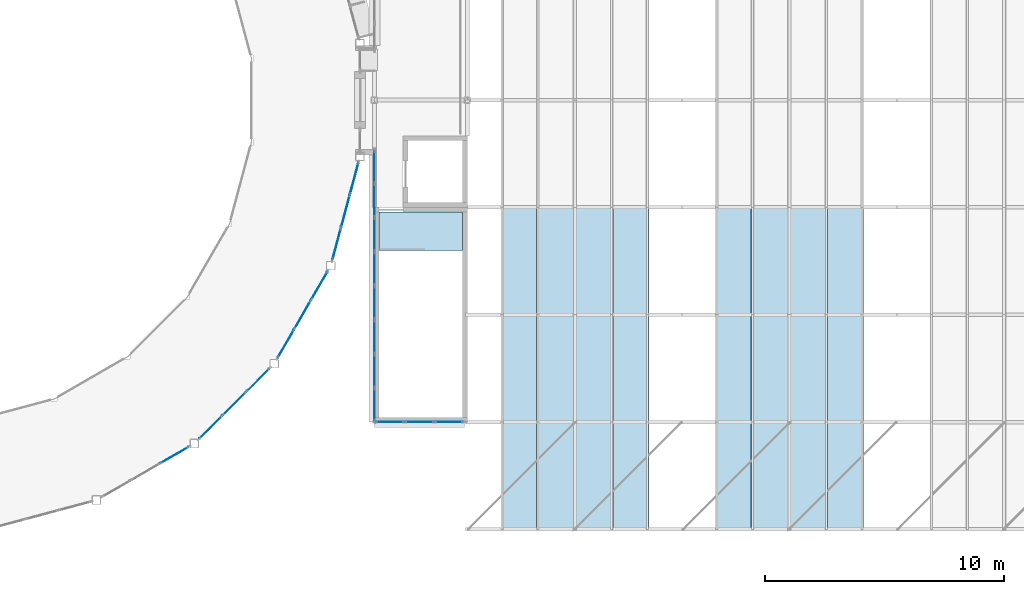
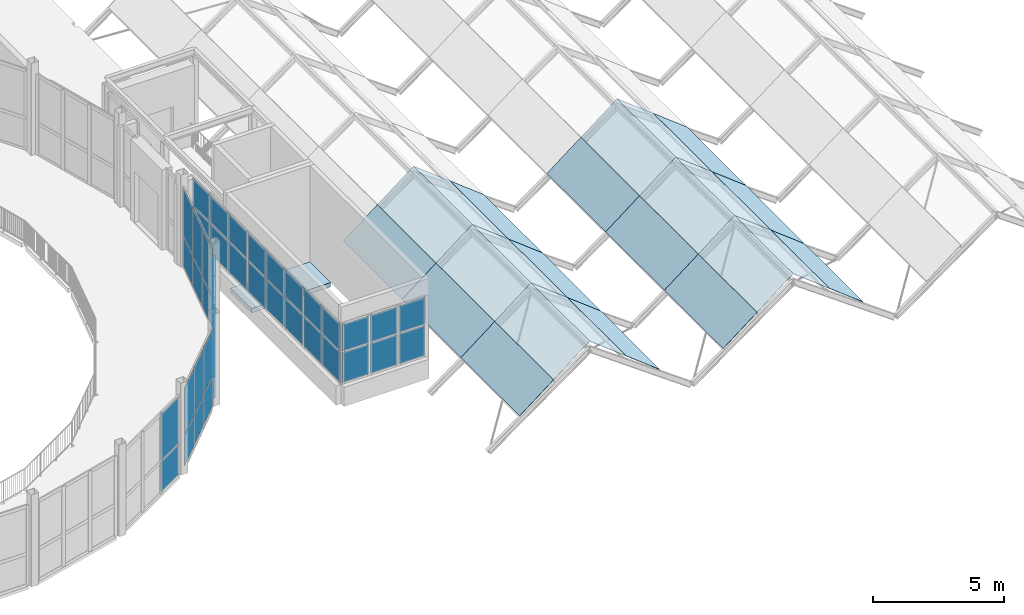
# One storey, part 35 of 74: 66 plates, 1 slab, 6 elements without a shape of their own.
"""IFC4 building model written with IfcOpenShell, lengths in metres."""

from ifc_helpers import new_model, si_unit, direction, frame, origin, origin_2d, place, context, subcontext, project, spatial, polyline, rectangle, outline, extrude, material, layer, layer_set, type_object, element, aggregate, save


model = new_model("IFC4")

# Units and contexts
model_context = context("Model", 3, precision=1e-05, world=origin(), true_north=direction((0.0, 1.0)))
body_context = subcontext(model_context, "Body", "Model", "MODEL_VIEW")
ifc_project = project(units=[si_unit("LENGTHUNIT", "METRE"), si_unit("AREAUNIT", "SQUARE_METRE"), si_unit("VOLUMEUNIT", "CUBIC_METRE"), si_unit("PLANEANGLEUNIT", "RADIAN"), si_unit("MASSUNIT", "GRAM", prefix="KILO")], contexts=[model_context])

# Site, building, storey
site_placement = place(None, origin())
site = spatial("IfcSite", under=ifc_project, at=site_placement, CompositionType="ELEMENT")
building_placement = place(site_placement, origin())
building = spatial("IfcBuilding", under=site, at=building_placement, Name="Hortulan Conservatory and Botanical Research Centre", CompositionType="ELEMENT")
storey_placement = place(building_placement, frame((0.0, 0.0, 6.0)))
storey = spatial("IfcBuildingStorey", under=building, at=storey_placement, Name="L01", CompositionType="ELEMENT", Elevation=6.0)

# Plates
ifc_material_1 = material(Name="Verdigris copper-green zinc sheet on timber decking", Category="wood")
ifc_layer_1 = layer(ifc_material_1, 0.011962890625)
ifc_layer_set_1 = layer_set([ifc_layer_1], Name="Climate House End Bay Zinc Roof Panel 12")
plate_type_1 = type_object("IfcPlateType", Name="Climate House End Bay Zinc Roof Panel 12", PredefinedType="SHEET", material=ifc_layer_set_1)
plate_1_placement = place(storey_placement, frame((77.89794921875, 0.0, 0.2978515625), z_axis=(-0.613967295793, 0.0, 0.789331463769), x_axis=(0.789331463769, 0.0, 0.613967295793)))
element("IfcPlate", 1, at=plate_1_placement, inside=storey, type_object=plate_type_1, Name="Climate house end bay roof panel", PredefinedType="SHEET", context=body_context, shape_type="SweptSolid", body=[
    extrude(outline(polyline([(0.0, 0.0), (1.9003423388659808, 0.0), (1.9003423388659808, 4.5), (0.0, 4.5), (0.0, 0.0)])), origin(), (0.0, 0.0, -1.0), 0.011962890625),
])
plate_2_placement = place(storey_placement, frame((79.39794921875, 0.0, 1.464599609375), z_axis=(-0.613957268838, 0.0, 0.789339262954), x_axis=(0.789339262954, 0.0, 0.613957268838)))
element("IfcPlate", 2, at=plate_2_placement, inside=storey, type_object=plate_type_1, Name="Climate house end bay roof panel", PredefinedType="SHEET", context=body_context, shape_type="SweptSolid", body=[
    extrude(outline(polyline([(0.0, 0.0), (2.0296098983530797, 0.0), (2.0296098983530797, 4.5), (0.0, 4.5), (0.0, 0.0)])), origin(), (0.0, 0.0, -1.0), 0.011962890625),
])
plate_3_placement = place(storey_placement, frame((84.10205078125, 4.5, 0.2978515625), z_axis=(0.613967295793, 0.0, 0.789331463769), x_axis=(-0.789331463769, 0.0, 0.613967295793)))
element("IfcPlate", 3, at=plate_3_placement, inside=storey, type_object=plate_type_1, Name="Climate house end bay roof panel", PredefinedType="SHEET", context=body_context, shape_type="SweptSolid", body=[
    extrude(outline(polyline([(0.0, 0.0), (1.9003423388659808, 0.0), (1.9003423388659808, 4.5), (0.0, 4.5), (0.0, 0.0)])), origin(), (0.0, 0.0, -1.0), 0.011962890625),
])
plate_4_placement = place(storey_placement, frame((82.60205078125, 4.5, 1.464599609375), z_axis=(0.613957268838, 0.0, 0.789339262954), x_axis=(-0.789339262954, 0.0, 0.613957268838)))
element("IfcPlate", 4, at=plate_4_placement, inside=storey, type_object=plate_type_1, Name="Climate house end bay roof panel", PredefinedType="SHEET", context=body_context, shape_type="SweptSolid", body=[
    extrude(outline(polyline([(0.0, 0.0), (2.0296098983530797, 0.0), (2.0296098983530797, 4.5), (0.0, 4.5), (0.0, 0.0)])), origin(), (0.0, 0.0, -1.0), 0.011962890625),
])
plate_5_placement = place(storey_placement, frame((86.89794921875, 0.0, 0.2978515625), z_axis=(-0.613967295793, 0.0, 0.789331463769), x_axis=(0.789331463769, 0.0, 0.613967295793)))
element("IfcPlate", 5, at=plate_5_placement, inside=storey, type_object=plate_type_1, Name="Climate house end bay roof panel", PredefinedType="SHEET", context=body_context, shape_type="SweptSolid", body=[
    extrude(outline(polyline([(0.0, 0.0), (1.9003423388659808, 0.0), (1.9003423388659808, 4.5), (0.0, 4.5), (0.0, 0.0)])), origin(), (0.0, 0.0, -1.0), 0.011962890625),
])
plate_6_placement = place(storey_placement, frame((88.39794921875, 0.0, 1.464599609375), z_axis=(-0.613957268838, 0.0, 0.789339262954), x_axis=(0.789339262954, 0.0, 0.613957268838)))
element("IfcPlate", 6, at=plate_6_placement, inside=storey, type_object=plate_type_1, Name="Climate house end bay roof panel", PredefinedType="SHEET", context=body_context, shape_type="SweptSolid", body=[
    extrude(outline(polyline([(0.0, 0.0), (2.0296098983530797, 0.0), (2.0296098983530797, 4.5), (0.0, 4.5), (0.0, 0.0)])), origin(), (0.0, 0.0, -1.0), 0.011962890625),
])
plate_7_placement = place(storey_placement, frame((93.10205078125, 4.5, 0.2978515625), z_axis=(0.613967295793, 0.0, 0.789331463769), x_axis=(-0.789331463769, 0.0, 0.613967295793)))
element("IfcPlate", 7, at=plate_7_placement, inside=storey, type_object=plate_type_1, Name="Climate house end bay roof panel", PredefinedType="SHEET", context=body_context, shape_type="SweptSolid", body=[
    extrude(outline(polyline([(0.0, 0.0), (1.9003423388659808, 0.0), (1.9003423388659808, 4.5), (0.0, 4.5), (0.0, 0.0)])), origin(), (0.0, 0.0, -1.0), 0.011962890625),
])
plate_8_placement = place(storey_placement, frame((91.60205078125, 4.5, 1.464599609375), z_axis=(0.613957268838, 0.0, 0.789339262954), x_axis=(-0.789339262954, 0.0, 0.613957268838)))
element("IfcPlate", 8, at=plate_8_placement, inside=storey, type_object=plate_type_1, Name="Climate house end bay roof panel", PredefinedType="SHEET", context=body_context, shape_type="SweptSolid", body=[
    extrude(outline(polyline([(0.0, 0.0), (2.0296098983530797, 0.0), (2.0296098983530797, 4.5), (0.0, 4.5), (0.0, 0.0)])), origin(), (0.0, 0.0, -1.0), 0.011962890625),
])
ifc_material_2 = material(Name="Low-e laminated glass", Category="glass")
ifc_layer_2 = layer(ifc_material_2, 0.011962890625)
ifc_layer_set_2 = layer_set([ifc_layer_2], Name="Glasshouse Roof Glazing Panel 12")
plate_type_2 = type_object("IfcPlateType", Name="Glasshouse Roof Glazing Panel 12", PredefinedType="SHEET", material=ifc_layer_set_2)
for number, where, z_axis, x_axis, name in (
    (9, (77.89794921875, 4.5, 0.2978515625), (-0.613967295793, 0.0, 0.789331463769), (0.789331463769, 0.0, 0.613967295793), "Glasshouse roof panel"),
    (10, (77.89794921875, 9.0, 0.2978515625), (-0.613967295793, 0.0, 0.789331463769), (0.789331463769, 0.0, 0.613967295793), "Glasshouse roof panel"),
):
    element("IfcPlate", number, at=place(storey_placement, frame(where, z_axis=z_axis, x_axis=x_axis)), inside=storey, type_object=plate_type_2, Name=name, PredefinedType="SHEET", context=body_context, shape_type="SweptSolid", body=[
        extrude(outline(polyline([(0.0, 0.0), (1.9003423388659808, 0.0), (1.9003423388659808, 4.5), (0.0, 4.5), (0.0, 0.0)])), origin(), (0.0, 0.0, -1.0), 0.011962890625),
    ])
for number, where, z_axis, x_axis, name in (
    (11, (79.39794921875, 4.5, 1.464599609375), (-0.613957268838, 0.0, 0.789339262954), (0.789339262954, 0.0, 0.613957268838), "Glasshouse roof panel"),
    (12, (79.39794921875, 9.0, 1.464599609375), (-0.613957268838, 0.0, 0.789339262954), (0.789339262954, 0.0, 0.613957268838), "Glasshouse roof panel"),
):
    element("IfcPlate", number, at=place(storey_placement, frame(where, z_axis=z_axis, x_axis=x_axis)), inside=storey, type_object=plate_type_2, Name=name, PredefinedType="SHEET", context=body_context, shape_type="SweptSolid", body=[
        extrude(outline(polyline([(0.0, 0.0), (2.0296098983530797, 0.0), (2.0296098983530797, 4.5), (0.0, 4.5), (0.0, 0.0)])), origin(), (0.0, 0.0, -1.0), 0.011962890625),
    ])
for number, where, z_axis, x_axis, name in (
    (13, (84.10205078125, 9.0, 0.2978515625), (0.613967295793, 0.0, 0.789331463769), (-0.789331463769, 0.0, 0.613967295793), "Glasshouse roof panel"),
    (14, (84.10205078125, 13.5, 0.2978515625), (0.613967295793, 0.0, 0.789331463769), (-0.789331463769, 0.0, 0.613967295793), "Glasshouse roof panel"),
):
    element("IfcPlate", number, at=place(storey_placement, frame(where, z_axis=z_axis, x_axis=x_axis)), inside=storey, type_object=plate_type_2, Name=name, PredefinedType="SHEET", context=body_context, shape_type="SweptSolid", body=[
        extrude(outline(polyline([(0.0, 0.0), (1.9003423388659808, 0.0), (1.9003423388659808, 4.5), (0.0, 4.5), (0.0, 0.0)])), origin(), (0.0, 0.0, -1.0), 0.011962890625),
    ])
for number, where, z_axis, x_axis, name in (
    (15, (82.60205078125, 9.0, 1.464599609375), (0.613957268838, 0.0, 0.789339262954), (-0.789339262954, 0.0, 0.613957268838), "Glasshouse roof panel"),
    (16, (82.60205078125, 13.5, 1.464599609375), (0.613957268838, 0.0, 0.789339262954), (-0.789339262954, 0.0, 0.613957268838), "Glasshouse roof panel"),
):
    element("IfcPlate", number, at=place(storey_placement, frame(where, z_axis=z_axis, x_axis=x_axis)), inside=storey, type_object=plate_type_2, Name=name, PredefinedType="SHEET", context=body_context, shape_type="SweptSolid", body=[
        extrude(outline(polyline([(0.0, 0.0), (2.0296098983530797, 0.0), (2.0296098983530797, 4.5), (0.0, 4.5), (0.0, 0.0)])), origin(), (0.0, 0.0, -1.0), 0.011962890625),
    ])
for number, where, z_axis, x_axis, name in (
    (17, (86.89794921875, 4.5, 0.2978515625), (-0.613967295793, 0.0, 0.789331463769), (0.789331463769, 0.0, 0.613967295793), "Glasshouse roof panel"),
    (18, (86.89794921875, 9.0, 0.2978515625), (-0.613967295793, 0.0, 0.789331463769), (0.789331463769, 0.0, 0.613967295793), "Glasshouse roof panel"),
):
    element("IfcPlate", number, at=place(storey_placement, frame(where, z_axis=z_axis, x_axis=x_axis)), inside=storey, type_object=plate_type_2, Name=name, PredefinedType="SHEET", context=body_context, shape_type="SweptSolid", body=[
        extrude(outline(polyline([(0.0, 0.0), (1.9003423388659808, 0.0), (1.9003423388659808, 4.5), (0.0, 4.5), (0.0, 0.0)])), origin(), (0.0, 0.0, -1.0), 0.011962890625),
    ])
for number, where, z_axis, x_axis, name in (
    (19, (88.39794921875, 4.5, 1.464599609375), (-0.613957268838, 0.0, 0.789339262954), (0.789339262954, 0.0, 0.613957268838), "Glasshouse roof panel"),
    (20, (88.39794921875, 9.0, 1.464599609375), (-0.613957268838, 0.0, 0.789339262954), (0.789339262954, 0.0, 0.613957268838), "Glasshouse roof panel"),
):
    element("IfcPlate", number, at=place(storey_placement, frame(where, z_axis=z_axis, x_axis=x_axis)), inside=storey, type_object=plate_type_2, Name=name, PredefinedType="SHEET", context=body_context, shape_type="SweptSolid", body=[
        extrude(outline(polyline([(0.0, 0.0), (2.0296098983530797, 0.0), (2.0296098983530797, 4.5), (0.0, 4.5), (0.0, 0.0)])), origin(), (0.0, 0.0, -1.0), 0.011962890625),
    ])
for number, where, z_axis, x_axis, name in (
    (21, (93.10205078125, 9.0, 0.2978515625), (0.613967295793, 0.0, 0.789331463769), (-0.789331463769, 0.0, 0.613967295793), "Glasshouse roof panel"),
    (22, (93.10205078125, 13.5, 0.2978515625), (0.613967295793, 0.0, 0.789331463769), (-0.789331463769, 0.0, 0.613967295793), "Glasshouse roof panel"),
):
    element("IfcPlate", number, at=place(storey_placement, frame(where, z_axis=z_axis, x_axis=x_axis)), inside=storey, type_object=plate_type_2, Name=name, PredefinedType="SHEET", context=body_context, shape_type="SweptSolid", body=[
        extrude(outline(polyline([(0.0, 0.0), (1.9003423388659808, 0.0), (1.9003423388659808, 4.5), (0.0, 4.5), (0.0, 0.0)])), origin(), (0.0, 0.0, -1.0), 0.011962890625),
    ])
for number, where, z_axis, x_axis, name in (
    (23, (91.60205078125, 9.0, 1.464599609375), (0.613957268838, 0.0, 0.789339262954), (-0.789339262954, 0.0, 0.613957268838), "Glasshouse roof panel"),
    (24, (91.60205078125, 13.5, 1.464599609375), (0.613957268838, 0.0, 0.789339262954), (-0.789339262954, 0.0, 0.613957268838), "Glasshouse roof panel"),
):
    element("IfcPlate", number, at=place(storey_placement, frame(where, z_axis=z_axis, x_axis=x_axis)), inside=storey, type_object=plate_type_2, Name=name, PredefinedType="SHEET", context=body_context, shape_type="SweptSolid", body=[
        extrude(outline(polyline([(0.0, 0.0), (2.0296098983530797, 0.0), (2.0296098983530797, 4.5), (0.0, 4.5), (0.0, 0.0)])), origin(), (0.0, 0.0, -1.0), 0.011962890625),
    ])

# Curtain wall, plates
ifc_material_3 = material(Name="Bronze-finished aluminium", Category="aluminium")
ifc_layer_3 = layer(ifc_material_3, 0.10009765625)
ifc_layer_set_3 = layer_set([ifc_layer_3], Name="Bronze-framed Curtain Wall 1500 module")
curtain_wall_type = type_object("IfcCurtainWallType", Name="Bronze-framed Curtain Wall 1500 module", PredefinedType="NOTDEFINED", material=ifc_layer_set_3)
curtain_wall_1_placement = place(storey_placement, origin())
curtain_wall_1 = element("IfcCurtainWall", 25, at=curtain_wall_1_placement, inside=storey, type_object=curtain_wall_type, Name="Curtain wall", PredefinedType="NOTDEFINED")
ifc_layer_4 = layer(ifc_material_2, 0.028076171875)
ifc_layer_set_4 = layer_set([ifc_layer_4], Name="Laminated Glass Panel 28")
plate_type_3 = type_object("IfcPlateType", Name="Laminated Glass Panel 28", PredefinedType="CURTAIN_PANEL", material=ifc_layer_set_4)
plate_9_placement = place(storey_placement, frame((64.217041015625, 3.114013671875, 0.06005859375), z_axis=(0.0, 0.0, 1.0), x_axis=(-0.866036280655, -0.499981160235, 0.0)))
plate_9 = element("IfcPlate", 26, at=plate_9_placement, type_object=plate_type_3, Name="CW1 panel 1.1", PredefinedType="CURTAIN_PANEL", context=body_context, shape_type="SweptSolid", body=[
    extrude(rectangle(XDim=1.330078125, YDim=0.028076171875, at=origin_2d()), origin(), (0.0, 0.0, 1.0), 1.409912109375),
])
plate_10_placement = place(storey_placement, frame((64.217041015625, 3.114013671875, 1.5302734375), z_axis=(0.0, 0.0, 1.0), x_axis=(-0.866036280655, -0.499981160235, 0.0)))
plate_10 = element("IfcPlate", 27, at=plate_10_placement, type_object=plate_type_3, Name="CW1 panel 1.2", PredefinedType="CURTAIN_PANEL", context=body_context, shape_type="SweptSolid", body=[
    extrude(rectangle(XDim=1.330078125, YDim=0.028076171875, at=origin_2d()), origin(), (0.0, 0.0, 1.0), 2.159912109375),
])
aggregate(curtain_wall_1, [plate_9, plate_10])

curtain_wall_2_placement = place(storey_placement, origin())
curtain_wall_2 = element("IfcCurtainWall", 28, at=curtain_wall_2_placement, inside=storey, type_object=curtain_wall_type, Name="Curtain wall", PredefinedType="NOTDEFINED")
plate_11_placement = place(storey_placement, frame((67.718017578125, 6.261962890625, 0.06005859375), z_axis=(0.0, 0.0, 1.0), x_axis=(-0.707106781187, -0.707106781187, 0.0)))
plate_11 = element("IfcPlate", 29, at=plate_11_placement, type_object=plate_type_3, Name="CW1 panel 1.1", PredefinedType="CURTAIN_PANEL", context=body_context, shape_type="SweptSolid", body=[
    extrude(rectangle(XDim=1.3251953125, YDim=0.028076171875, at=origin_2d()), origin(), (0.0, 0.0, 1.0), 1.409912109375),
])
plate_12_placement = place(storey_placement, frame((67.718017578125, 6.261962890625, 1.5302734375), z_axis=(0.0, 0.0, 1.0), x_axis=(-0.707106781187, -0.707106781187, 0.0)))
plate_12 = element("IfcPlate", 30, at=plate_12_placement, type_object=plate_type_3, Name="CW1 panel 1.2", PredefinedType="CURTAIN_PANEL", context=body_context, shape_type="SweptSolid", body=[
    extrude(rectangle(XDim=1.3251953125, YDim=0.028076171875, at=origin_2d()), origin(), (0.0, 0.0, 1.0), 2.159912109375),
])
plate_13_placement = place(storey_placement, frame((66.72802734375, 5.27197265625, 0.06005859375), z_axis=(0.0, 0.0, 1.0), x_axis=(-0.707106781187, -0.707106781187, 0.0)))
plate_13 = element("IfcPlate", 31, at=plate_13_placement, type_object=plate_type_3, Name="CW1 panel 2.1", PredefinedType="CURTAIN_PANEL", context=body_context, shape_type="SweptSolid", body=[
    extrude(rectangle(XDim=1.355224609375, YDim=0.028076171875, at=origin_2d()), origin(), (0.0, 0.0, 1.0), 1.409912109375),
])
plate_14_placement = place(storey_placement, frame((66.72802734375, 5.27197265625, 1.5302734375), z_axis=(0.0, 0.0, 1.0), x_axis=(-0.707106781187, -0.707106781187, 0.0)))
plate_14 = element("IfcPlate", 32, at=plate_14_placement, type_object=plate_type_3, Name="CW1 panel 2.2", PredefinedType="CURTAIN_PANEL", context=body_context, shape_type="SweptSolid", body=[
    extrude(rectangle(XDim=1.355224609375, YDim=0.028076171875, at=origin_2d()), origin(), (0.0, 0.0, 1.0), 2.159912109375),
])
plate_15_placement = place(storey_placement, frame((65.738037109375, 4.281982421875, 0.06005859375), z_axis=(0.0, 0.0, 1.0), x_axis=(-0.707106781187, -0.707106781187, 0.0)))
plate_15 = element("IfcPlate", 33, at=plate_15_placement, type_object=plate_type_3, Name="CW1 panel 3.1", PredefinedType="CURTAIN_PANEL", context=body_context, shape_type="SweptSolid", body=[
    extrude(rectangle(XDim=1.3251953125, YDim=0.028076171875, at=origin_2d()), origin(), (0.0, 0.0, 1.0), 1.409912109375),
])
plate_16_placement = place(storey_placement, frame((65.738037109375, 4.281982421875, 1.5302734375), z_axis=(0.0, 0.0, 1.0), x_axis=(-0.707106781187, -0.707106781187, 0.0)))
plate_16 = element("IfcPlate", 34, at=plate_16_placement, type_object=plate_type_3, Name="CW1 panel 3.2", PredefinedType="CURTAIN_PANEL", context=body_context, shape_type="SweptSolid", body=[
    extrude(rectangle(XDim=1.3251953125, YDim=0.028076171875, at=origin_2d()), origin(), (0.0, 0.0, 1.0), 2.159912109375),
])
aggregate(curtain_wall_2, [plate_11, plate_12, plate_13, plate_14, plate_15, plate_16])

curtain_wall_3_placement = place(storey_placement, origin())
curtain_wall_3 = element("IfcCurtainWall", 35, at=curtain_wall_3_placement, inside=storey, type_object=curtain_wall_type, Name="Curtain wall", PredefinedType="NOTDEFINED")
plate_17_placement = place(storey_placement, frame((70.291015625, 10.217041015625, 0.06005859375), z_axis=(0.0, 0.0, 1.0), x_axis=(-0.499981160235, -0.866036280655, 0.0)))
plate_17 = element("IfcPlate", 36, at=plate_17_placement, type_object=plate_type_3, Name="CW1 panel 1.1", PredefinedType="CURTAIN_PANEL", context=body_context, shape_type="SweptSolid", body=[
    extrude(rectangle(XDim=1.330078125, YDim=0.028076171875, at=origin_2d()), origin(), (0.0, 0.0, 1.0), 1.409912109375),
])
plate_18_placement = place(storey_placement, frame((70.291015625, 10.217041015625, 1.5302734375), z_axis=(0.0, 0.0, 1.0), x_axis=(-0.499981160235, -0.866036280655, 0.0)))
plate_18 = element("IfcPlate", 37, at=plate_18_placement, type_object=plate_type_3, Name="CW1 panel 1.2", PredefinedType="CURTAIN_PANEL", context=body_context, shape_type="SweptSolid", body=[
    extrude(rectangle(XDim=1.330078125, YDim=0.028076171875, at=origin_2d()), origin(), (0.0, 0.0, 1.0), 2.159912109375),
])
plate_19_placement = place(storey_placement, frame((69.58837890625, 9.0, 0.06005859375), z_axis=(0.0, 0.0, 1.0), x_axis=(-0.499981160235, -0.866036280655, 0.0)))
plate_19 = element("IfcPlate", 38, at=plate_19_placement, type_object=plate_type_3, Name="CW1 panel 2.1", PredefinedType="CURTAIN_PANEL", context=body_context, shape_type="SweptSolid", body=[
    extrude(rectangle(XDim=1.360107421875, YDim=0.028076171875, at=origin_2d()), origin(), (0.0, 0.0, 1.0), 1.409912109375),
])
plate_20_placement = place(storey_placement, frame((69.58837890625, 9.0, 1.5302734375), z_axis=(0.0, 0.0, 1.0), x_axis=(-0.499981160235, -0.866036280655, 0.0)))
plate_20 = element("IfcPlate", 39, at=plate_20_placement, type_object=plate_type_3, Name="CW1 panel 2.2", PredefinedType="CURTAIN_PANEL", context=body_context, shape_type="SweptSolid", body=[
    extrude(rectangle(XDim=1.360107421875, YDim=0.028076171875, at=origin_2d()), origin(), (0.0, 0.0, 1.0), 2.159912109375),
])
plate_21_placement = place(storey_placement, frame((68.885986328125, 7.782958984375, 0.06005859375), z_axis=(0.0, 0.0, 1.0), x_axis=(-0.499981160235, -0.866036280655, 0.0)))
plate_21 = element("IfcPlate", 40, at=plate_21_placement, type_object=plate_type_3, Name="CW1 panel 3.1", PredefinedType="CURTAIN_PANEL", context=body_context, shape_type="SweptSolid", body=[
    extrude(rectangle(XDim=1.330078125, YDim=0.028076171875, at=origin_2d()), origin(), (0.0, 0.0, 1.0), 1.409912109375),
])
plate_22_placement = place(storey_placement, frame((68.885986328125, 7.782958984375, 1.5302734375), z_axis=(0.0, 0.0, 1.0), x_axis=(-0.499981160235, -0.866036280655, 0.0)))
plate_22 = element("IfcPlate", 41, at=plate_22_placement, type_object=plate_type_3, Name="CW1 panel 3.2", PredefinedType="CURTAIN_PANEL", context=body_context, shape_type="SweptSolid", body=[
    extrude(rectangle(XDim=1.330078125, YDim=0.028076171875, at=origin_2d()), origin(), (0.0, 0.0, 1.0), 2.159912109375),
])
aggregate(curtain_wall_3, [plate_17, plate_18, plate_19, plate_20, plate_21, plate_22])

curtain_wall_4_placement = place(storey_placement, origin())
curtain_wall_4 = element("IfcCurtainWall", 42, at=curtain_wall_4_placement, inside=storey, type_object=curtain_wall_type, Name="Curtain wall", PredefinedType="NOTDEFINED")
plate_23_placement = place(storey_placement, frame((71.754638671875, 14.714599609375, 0.06005859375), z_axis=(0.0, 0.0, 1.0), x_axis=(-0.258831936284, -0.965922372015, 0.0)))
plate_23 = element("IfcPlate", 43, at=plate_23_placement, type_object=plate_type_3, Name="CW1 panel 1.1", PredefinedType="CURTAIN_PANEL", context=body_context, shape_type="SweptSolid", body=[
    extrude(rectangle(XDim=1.346923828125, YDim=0.028076171875, at=origin_2d()), origin(), (0.0, 0.0, 1.0), 1.409912109375),
])
plate_24_placement = place(storey_placement, frame((71.754638671875, 14.714599609375, 1.5302734375), z_axis=(0.0, 0.0, 1.0), x_axis=(-0.258831936284, -0.965922372015, 0.0)))
plate_24 = element("IfcPlate", 44, at=plate_24_placement, type_object=plate_type_3, Name="CW1 panel 1.2", PredefinedType="CURTAIN_PANEL", context=body_context, shape_type="SweptSolid", body=[
    extrude(rectangle(XDim=1.346923828125, YDim=0.028076171875, at=origin_2d()), origin(), (0.0, 0.0, 1.0), 2.159912109375),
])
plate_25_placement = place(storey_placement, frame((71.38671875, 13.341064453125, 0.06005859375), z_axis=(0.0, 0.0, 1.0), x_axis=(-0.258831936284, -0.965922372015, 0.0)))
plate_25 = element("IfcPlate", 45, at=plate_25_placement, type_object=plate_type_3, Name="CW1 panel 2.1", PredefinedType="CURTAIN_PANEL", context=body_context, shape_type="SweptSolid", body=[
    extrude(rectangle(XDim=1.376953125, YDim=0.028076171875, at=origin_2d()), origin(), (0.0, 0.0, 1.0), 1.409912109375),
])
plate_26_placement = place(storey_placement, frame((71.38671875, 13.341064453125, 1.5302734375), z_axis=(0.0, 0.0, 1.0), x_axis=(-0.258831936284, -0.965922372015, 0.0)))
plate_26 = element("IfcPlate", 46, at=plate_26_placement, type_object=plate_type_3, Name="CW1 panel 2.2", PredefinedType="CURTAIN_PANEL", context=body_context, shape_type="SweptSolid", body=[
    extrude(rectangle(XDim=1.376953125, YDim=0.028076171875, at=origin_2d()), origin(), (0.0, 0.0, 1.0), 2.159912109375),
])
plate_27_placement = place(storey_placement, frame((71.0185546875, 11.967529296875, 0.06005859375), z_axis=(0.0, 0.0, 1.0), x_axis=(-0.258831936284, -0.965922372015, 0.0)))
plate_27 = element("IfcPlate", 47, at=plate_27_placement, type_object=plate_type_3, Name="CW1 panel 3.1", PredefinedType="CURTAIN_PANEL", context=body_context, shape_type="SweptSolid", body=[
    extrude(rectangle(XDim=1.346923828125, YDim=0.028076171875, at=origin_2d()), origin(), (0.0, 0.0, 1.0), 1.409912109375),
])
plate_28_placement = place(storey_placement, frame((71.0185546875, 11.967529296875, 1.5302734375), z_axis=(0.0, 0.0, 1.0), x_axis=(-0.258831936284, -0.965922372015, 0.0)))
plate_28 = element("IfcPlate", 48, at=plate_28_placement, type_object=plate_type_3, Name="CW1 panel 3.2", PredefinedType="CURTAIN_PANEL", context=body_context, shape_type="SweptSolid", body=[
    extrude(rectangle(XDim=1.346923828125, YDim=0.028076171875, at=origin_2d()), origin(), (0.0, 0.0, 1.0), 2.159912109375),
])
aggregate(curtain_wall_4, [plate_23, plate_24, plate_25, plate_26, plate_27, plate_28])

curtain_wall_5_placement = place(storey_placement, origin())
curtain_wall_5 = element("IfcCurtainWall", 49, at=curtain_wall_5_placement, inside=storey, type_object=curtain_wall_type, Name="Curtain wall", PredefinedType="NOTDEFINED")
plate_29_placement = place(storey_placement, frame((75.729248046875, 4.5, 0.9599609375), z_axis=(0.0, 0.0, 1.0), x_axis=(-1.0, 0.0, 0.0)))
plate_29 = element("IfcPlate", 50, at=plate_29_placement, type_object=plate_type_3, Name="CW1 panel 1.1", PredefinedType="CURTAIN_PANEL", context=body_context, shape_type="SweptSolid", body=[
    extrude(rectangle(XDim=1.167724609375, YDim=0.028076171875, at=origin_2d()), origin(), (0.0, 0.0, 1.0), 1.409912109375),
])
plate_30_placement = place(storey_placement, frame((75.729248046875, 4.5, 2.429931640625), z_axis=(0.0, 0.0, 1.0), x_axis=(-1.0, 0.0, 0.0)))
plate_30 = element("IfcPlate", 51, at=plate_30_placement, type_object=plate_type_3, Name="CW1 panel 1.2", PredefinedType="CURTAIN_PANEL", context=body_context, shape_type="SweptSolid", body=[
    extrude(rectangle(XDim=1.167724609375, YDim=0.028076171875, at=origin_2d()), origin(), (0.0, 0.0, 1.0), 1.25),
])
plate_31_placement = place(storey_placement, frame((74.486572265625, 4.5, 0.9599609375), z_axis=(0.0, 0.0, 1.0), x_axis=(-1.0, 0.0, 0.0)))
plate_31 = element("IfcPlate", 52, at=plate_31_placement, type_object=plate_type_3, Name="CW1 panel 2.1", PredefinedType="CURTAIN_PANEL", context=body_context, shape_type="SweptSolid", body=[
    extrude(rectangle(XDim=1.19775390625, YDim=0.028076171875, at=origin_2d()), origin(), (0.0, 0.0, 1.0), 1.409912109375),
])
plate_32_placement = place(storey_placement, frame((74.486572265625, 4.5, 2.429931640625), z_axis=(0.0, 0.0, 1.0), x_axis=(-1.0, 0.0, 0.0)))
plate_32 = element("IfcPlate", 53, at=plate_32_placement, type_object=plate_type_3, Name="CW1 panel 2.2", PredefinedType="CURTAIN_PANEL", context=body_context, shape_type="SweptSolid", body=[
    extrude(rectangle(XDim=1.19775390625, YDim=0.028076171875, at=origin_2d()), origin(), (0.0, 0.0, 1.0), 1.25),
])
plate_33_placement = place(storey_placement, frame((73.243896484375, 4.5, 0.9599609375), z_axis=(0.0, 0.0, 1.0), x_axis=(-1.0, 0.0, 0.0)))
plate_33 = element("IfcPlate", 54, at=plate_33_placement, type_object=plate_type_3, Name="CW1 panel 3.1", PredefinedType="CURTAIN_PANEL", context=body_context, shape_type="SweptSolid", body=[
    extrude(rectangle(XDim=1.167724609375, YDim=0.028076171875, at=origin_2d()), origin(), (0.0, 0.0, 1.0), 1.409912109375),
])
plate_34_placement = place(storey_placement, frame((73.243896484375, 4.5, 2.429931640625), z_axis=(0.0, 0.0, 1.0), x_axis=(-1.0, 0.0, 0.0)))
plate_34 = element("IfcPlate", 55, at=plate_34_placement, type_object=plate_type_3, Name="CW1 panel 3.2", PredefinedType="CURTAIN_PANEL", context=body_context, shape_type="SweptSolid", body=[
    extrude(rectangle(XDim=1.167724609375, YDim=0.028076171875, at=origin_2d()), origin(), (0.0, 0.0, 1.0), 1.25),
])
aggregate(curtain_wall_5, [plate_29, plate_30, plate_31, plate_32, plate_33, plate_34])

curtain_wall_6_placement = place(storey_placement, origin())
curtain_wall_6 = element("IfcCurtainWall", 56, at=curtain_wall_6_placement, inside=storey, type_object=curtain_wall_type, Name="Curtain wall", PredefinedType="NOTDEFINED")
plate_35_placement = place(storey_placement, frame((72.60009765625, 5.2294921875, 0.9599609375), z_axis=(0.0, 0.0, 1.0), x_axis=(0.0, 1.0, 0.0)))
plate_35 = element("IfcPlate", 57, at=plate_35_placement, type_object=plate_type_3, Name="CW1 panel 1.1", PredefinedType="CURTAIN_PANEL", context=body_context, shape_type="SweptSolid", body=[
    extrude(rectangle(XDim=1.3388671875, YDim=0.028076171875, at=origin_2d()), origin(), (0.0, 0.0, 1.0), 1.409912109375),
])
plate_36_placement = place(storey_placement, frame((72.60009765625, 5.2294921875, 2.429931640625), z_axis=(0.0, 0.0, 1.0), x_axis=(0.0, 1.0, 0.0)))
plate_36 = element("IfcPlate", 58, at=plate_36_placement, type_object=plate_type_3, Name="CW1 panel 1.2", PredefinedType="CURTAIN_PANEL", context=body_context, shape_type="SweptSolid", body=[
    extrude(rectangle(XDim=1.3388671875, YDim=0.028076171875, at=origin_2d()), origin(), (0.0, 0.0, 1.0), 1.25),
])
plate_37_placement = place(storey_placement, frame((72.60009765625, 6.64306640625, 0.9599609375), z_axis=(0.0, 0.0, 1.0), x_axis=(0.0, 1.0, 0.0)))
plate_37 = element("IfcPlate", 59, at=plate_37_placement, type_object=plate_type_3, Name="CW1 panel 2.1", PredefinedType="CURTAIN_PANEL", context=body_context, shape_type="SweptSolid", body=[
    extrude(rectangle(XDim=1.368896484375, YDim=0.028076171875, at=origin_2d()), origin(), (0.0, 0.0, 1.0), 1.409912109375),
])
plate_38_placement = place(storey_placement, frame((72.60009765625, 6.64306640625, 2.429931640625), z_axis=(0.0, 0.0, 1.0), x_axis=(0.0, 1.0, 0.0)))
plate_38 = element("IfcPlate", 60, at=plate_38_placement, type_object=plate_type_3, Name="CW1 panel 2.2", PredefinedType="CURTAIN_PANEL", context=body_context, shape_type="SweptSolid", body=[
    extrude(rectangle(XDim=1.368896484375, YDim=0.028076171875, at=origin_2d()), origin(), (0.0, 0.0, 1.0), 1.25),
])
plate_39_placement = place(storey_placement, frame((72.60009765625, 8.072021484375, 0.9599609375), z_axis=(0.0, 0.0, 1.0), x_axis=(0.0, 1.0, 0.0)))
plate_39 = element("IfcPlate", 61, at=plate_39_placement, type_object=plate_type_3, Name="CW1 panel 3.1", PredefinedType="CURTAIN_PANEL", context=body_context, shape_type="SweptSolid", body=[
    extrude(rectangle(XDim=1.368896484375, YDim=0.028076171875, at=origin_2d()), origin(), (0.0, 0.0, 1.0), 1.409912109375),
])
plate_40_placement = place(storey_placement, frame((72.60009765625, 8.072021484375, 2.429931640625), z_axis=(0.0, 0.0, 1.0), x_axis=(0.0, 1.0, 0.0)))
plate_40 = element("IfcPlate", 62, at=plate_40_placement, type_object=plate_type_3, Name="CW1 panel 3.2", PredefinedType="CURTAIN_PANEL", context=body_context, shape_type="SweptSolid", body=[
    extrude(rectangle(XDim=1.368896484375, YDim=0.028076171875, at=origin_2d()), origin(), (0.0, 0.0, 1.0), 1.25),
])
plate_41_placement = place(storey_placement, frame((72.60009765625, 9.500732421875, 0.9599609375), z_axis=(0.0, 0.0, 1.0), x_axis=(0.0, 1.0, 0.0)))
plate_41 = element("IfcPlate", 63, at=plate_41_placement, type_object=plate_type_3, Name="CW1 panel 4.1", PredefinedType="CURTAIN_PANEL", context=body_context, shape_type="SweptSolid", body=[
    extrude(rectangle(XDim=1.368896484375, YDim=0.028076171875, at=origin_2d()), origin(), (0.0, 0.0, 1.0), 1.409912109375),
])
plate_42_placement = place(storey_placement, frame((72.60009765625, 9.500732421875, 2.429931640625), z_axis=(0.0, 0.0, 1.0), x_axis=(0.0, 1.0, 0.0)))
plate_42 = element("IfcPlate", 64, at=plate_42_placement, type_object=plate_type_3, Name="CW1 panel 4.2", PredefinedType="CURTAIN_PANEL", context=body_context, shape_type="SweptSolid", body=[
    extrude(rectangle(XDim=1.368896484375, YDim=0.028076171875, at=origin_2d()), origin(), (0.0, 0.0, 1.0), 1.25),
])
plate_43_placement = place(storey_placement, frame((72.60009765625, 10.929443359375, 0.9599609375), z_axis=(0.0, 0.0, 1.0), x_axis=(0.0, 1.0, 0.0)))
plate_43 = element("IfcPlate", 65, at=plate_43_placement, type_object=plate_type_3, Name="CW1 panel 5.1", PredefinedType="CURTAIN_PANEL", context=body_context, shape_type="SweptSolid", body=[
    extrude(rectangle(XDim=1.368896484375, YDim=0.028076171875, at=origin_2d()), origin(), (0.0, 0.0, 1.0), 1.409912109375),
])
plate_44_placement = place(storey_placement, frame((72.60009765625, 10.929443359375, 2.429931640625), z_axis=(0.0, 0.0, 1.0), x_axis=(0.0, 1.0, 0.0)))
plate_44 = element("IfcPlate", 66, at=plate_44_placement, type_object=plate_type_3, Name="CW1 panel 5.2", PredefinedType="CURTAIN_PANEL", context=body_context, shape_type="SweptSolid", body=[
    extrude(rectangle(XDim=1.368896484375, YDim=0.028076171875, at=origin_2d()), origin(), (0.0, 0.0, 1.0), 1.25),
])
plate_45_placement = place(storey_placement, frame((72.60009765625, 12.3583984375, 0.9599609375), z_axis=(0.0, 0.0, 1.0), x_axis=(0.0, 1.0, 0.0)))
plate_45 = element("IfcPlate", 67, at=plate_45_placement, type_object=plate_type_3, Name="CW1 panel 6.1", PredefinedType="CURTAIN_PANEL", context=body_context, shape_type="SweptSolid", body=[
    extrude(rectangle(XDim=1.368896484375, YDim=0.028076171875, at=origin_2d()), origin(), (0.0, 0.0, 1.0), 1.409912109375),
])
plate_46_placement = place(storey_placement, frame((72.60009765625, 12.3583984375, 2.429931640625), z_axis=(0.0, 0.0, 1.0), x_axis=(0.0, 1.0, 0.0)))
plate_46 = element("IfcPlate", 68, at=plate_46_placement, type_object=plate_type_3, Name="CW1 panel 6.2", PredefinedType="CURTAIN_PANEL", context=body_context, shape_type="SweptSolid", body=[
    extrude(rectangle(XDim=1.368896484375, YDim=0.028076171875, at=origin_2d()), origin(), (0.0, 0.0, 1.0), 1.25),
])
plate_47_placement = place(storey_placement, frame((72.60009765625, 13.787109375, 0.9599609375), z_axis=(0.0, 0.0, 1.0), x_axis=(0.0, 1.0, 0.0)))
plate_47 = element("IfcPlate", 69, at=plate_47_placement, type_object=plate_type_3, Name="CW1 panel 7.1", PredefinedType="CURTAIN_PANEL", context=body_context, shape_type="SweptSolid", body=[
    extrude(rectangle(XDim=1.368896484375, YDim=0.028076171875, at=origin_2d()), origin(), (0.0, 0.0, 1.0), 1.409912109375),
])
plate_48_placement = place(storey_placement, frame((72.60009765625, 13.787109375, 2.429931640625), z_axis=(0.0, 0.0, 1.0), x_axis=(0.0, 1.0, 0.0)))
plate_48 = element("IfcPlate", 70, at=plate_48_placement, type_object=plate_type_3, Name="CW1 panel 7.2", PredefinedType="CURTAIN_PANEL", context=body_context, shape_type="SweptSolid", body=[
    extrude(rectangle(XDim=1.368896484375, YDim=0.028076171875, at=origin_2d()), origin(), (0.0, 0.0, 1.0), 1.25),
])
plate_49_placement = place(storey_placement, frame((72.60009765625, 15.200927734375, 0.9599609375), z_axis=(0.0, 0.0, 1.0), x_axis=(0.0, 1.0, 0.0)))
plate_49 = element("IfcPlate", 71, at=plate_49_placement, type_object=plate_type_3, Name="CW1 panel 8.1", PredefinedType="CURTAIN_PANEL", context=body_context, shape_type="SweptSolid", body=[
    extrude(rectangle(XDim=1.3388671875, YDim=0.028076171875, at=origin_2d()), origin(), (0.0, 0.0, 1.0), 1.409912109375),
])
plate_50_placement = place(storey_placement, frame((72.60009765625, 15.200927734375, 2.429931640625), z_axis=(0.0, 0.0, 1.0), x_axis=(0.0, 1.0, 0.0)))
plate_50 = element("IfcPlate", 72, at=plate_50_placement, type_object=plate_type_3, Name="CW1 panel 8.2", PredefinedType="CURTAIN_PANEL", context=body_context, shape_type="SweptSolid", body=[
    extrude(rectangle(XDim=1.3388671875, YDim=0.028076171875, at=origin_2d()), origin(), (0.0, 0.0, 1.0), 1.25),
])
aggregate(curtain_wall_6, [plate_35, plate_36, plate_37, plate_38, plate_39, plate_40, plate_41, plate_42, plate_43, plate_44, plate_45, plate_46, plate_47, plate_48, plate_49, plate_50])

# Slab
ifc_material_4 = material(Name="Concrete N40 (40 MPa, AS 3600)", Category="concrete")
ifc_layer_5 = layer(ifc_material_4, 0.199951171875)
ifc_layer_set_5 = layer_set([ifc_layer_5], Name="Stair Landing 200")
slab_type = type_object("IfcSlabType", Name="Stair Landing 200", PredefinedType="LANDING", material=ifc_layer_set_5)
slab_placement = place(storey_placement, frame((0.0, 0.0, -0.199951171875)))
element("IfcSlab", 73, at=slab_placement, inside=storey, type_object=slab_type, Name="Stair SHE floor landing L01", PredefinedType="LANDING", context=body_context, shape_type="SweptSolid", body=[
    extrude(outline(polyline([(76.300048828125, 13.300048828125), (76.300048828125, 11.699951171875), (72.800048828125, 11.699951171875), (72.800048828125, 13.300048828125), (76.300048828125, 13.300048828125)])), origin(), (0.0, 0.0, 1.0), 0.199951171875),
])

save(model, "model.ifc")
